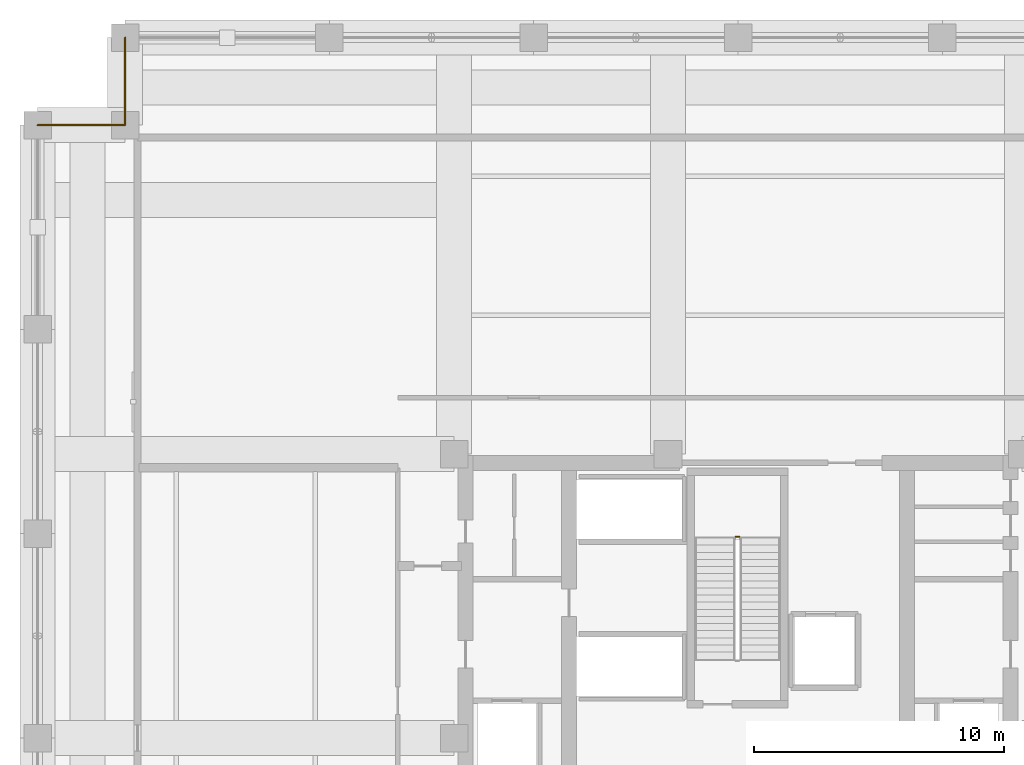
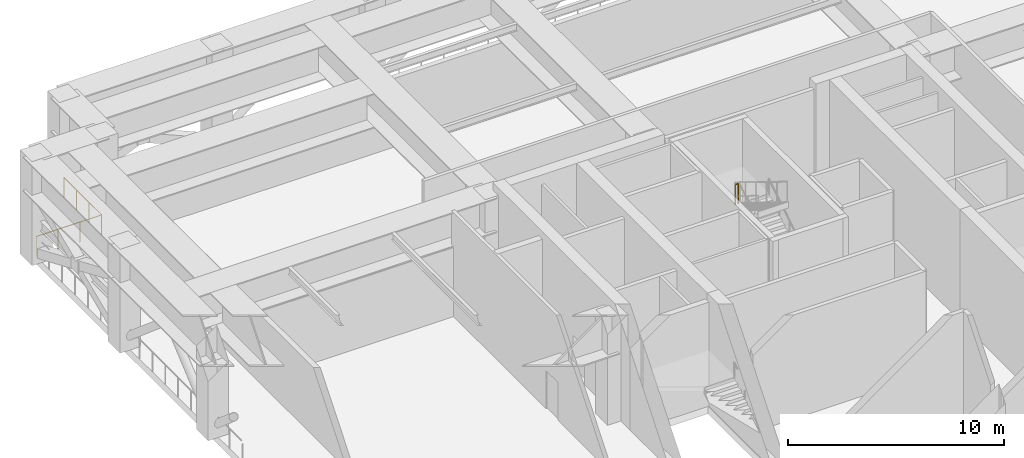
# One storey, part 11 of 12: 3 railings.
"""IFC4 building model written with IfcOpenShell, lengths in metres."""

from ifc_helpers import new_model, si_unit, direction, frame, origin, origin_2d, place, context, subcontext, project, spatial, circle, extrude, material, type_object, element, save


model = new_model("IFC4")

# Units and contexts
model_context = context("Model", 3, precision=1e-05, world=origin(), true_north=direction((0.0, 1.0)))
body_context = subcontext(model_context, "Body", "Model", "MODEL_VIEW")
ifc_project = project(units=[si_unit("LENGTHUNIT", "METRE"), si_unit("AREAUNIT", "SQUARE_METRE"), si_unit("VOLUMEUNIT", "CUBIC_METRE"), si_unit("PLANEANGLEUNIT", "RADIAN"), si_unit("MASSUNIT", "GRAM", prefix="KILO")], contexts=[model_context])

# Site, building, storey
site_placement = place(None, origin())
site = spatial("IfcSite", under=ifc_project, at=site_placement, CompositionType="ELEMENT")
building_placement = place(site_placement, origin())
building = spatial("IfcBuilding", under=site, at=building_placement, Name="Nhamokura Convention Tower", CompositionType="ELEMENT")
storey_placement = place(building_placement, frame((0.0, 0.0, 99.75)))
storey = spatial("IfcBuildingStorey", under=building, at=storey_placement, Name="L24", CompositionType="ELEMENT", Elevation=99.75)

# Railings
ifc_material_1 = material(Name="Painted tubular steel", Category="steel")
railing_type_1 = type_object("IfcRailingType", Name="StairWellGuardrail_1150", PredefinedType="GUARDRAIL", material=ifc_material_1)
railing_1_placement = place(storey_placement, frame((32.050048828125, 40.044921875, 3.14990234375)))
element("IfcRailing", 1, at=railing_1_placement, inside=storey, type_object=railing_type_1, Name="L24 ST-03 stair guard 2", PredefinedType="GUARDRAIL", context=body_context, shape_type="SweptSolid", body=[
    extrude(circle(Radius=0.02392578125, at=origin_2d()), frame((0.0, 0.0, 1.1259765625), z_axis=(-1.0, 0.0, 0.0), x_axis=(0.0, -1.0, 0.0)), (0.0, 0.0, 1.0), 0.150146484375),
    extrude(circle(Radius=0.02099609375, at=origin_2d()), origin(), (0.0, 0.0, 1.0), 1.101806640625),
    extrude(circle(Radius=0.02099609375, at=origin_2d()), frame((-0.150146484375, 0.0, 0.0)), (0.0, 0.0, 1.0), 1.101806640625),
])
ifc_material_2 = material(Name="Anodised bronze stainless steel", Category="steel")
railing_type_2 = type_object("IfcRailingType", Name="TerraceGuardrail_1150", PredefinedType="GUARDRAIL", material=ifc_material_2)
railing_2_placement = place(storey_placement, frame((7.5, 60.0, 0.0)))
element("IfcRailing", 2, at=railing_2_placement, inside=storey, type_object=railing_type_2, Name="L24 Perimeter Guardrail 08", PredefinedType="GUARDRAIL", context=body_context, shape_type="SweptSolid", body=[
    extrude(circle(Radius=0.02392578125, at=origin_2d()), frame((0.0, 0.0, 1.1259765625), z_axis=(0.0, -1.0, 0.0), x_axis=(1.0, 0.0, 0.0)), (0.0, 0.0, 1.0), 3.5),
    extrude(circle(Radius=0.02099609375, at=origin_2d()), origin(), (0.0, 0.0, 1.0), 1.101806640625),
    extrude(circle(Radius=0.02099609375, at=origin_2d()), frame((0.0, -1.166748046875, 0.0)), (0.0, 0.0, 1.0), 1.101806640625),
    extrude(circle(Radius=0.02099609375, at=origin_2d()), frame((0.0, -2.333251953125, 0.0)), (0.0, 0.0, 1.0), 1.101806640625),
    extrude(circle(Radius=0.02099609375, at=origin_2d()), frame((0.0, -3.5, 0.0)), (0.0, 0.0, 1.0), 1.101806640625),
])
railing_3_placement = place(storey_placement, frame((7.5, 56.5, 0.0)))
element("IfcRailing", 3, at=railing_3_placement, inside=storey, type_object=railing_type_2, Name="L24 Perimeter Guardrail 09", PredefinedType="GUARDRAIL", context=body_context, shape_type="SweptSolid", body=[
    extrude(circle(Radius=0.02392578125, at=origin_2d()), frame((0.0, 0.0, 1.1259765625), z_axis=(-1.0, 0.0, 0.0), x_axis=(0.0, -1.0, 0.0)), (0.0, 0.0, 1.0), 3.5),
    extrude(circle(Radius=0.02099609375, at=origin_2d()), origin(), (0.0, 0.0, 1.0), 1.101806640625),
    extrude(circle(Radius=0.02099609375, at=origin_2d()), frame((-1.166748046875, 0.0, 0.0)), (0.0, 0.0, 1.0), 1.101806640625),
    extrude(circle(Radius=0.02099609375, at=origin_2d()), frame((-2.333251953125, 0.0, 0.0)), (0.0, 0.0, 1.0), 1.101806640625),
    extrude(circle(Radius=0.02099609375, at=origin_2d()), frame((-3.5, 0.0, 0.0)), (0.0, 0.0, 1.0), 1.101806640625),
])

save(model, "model.ifc")
